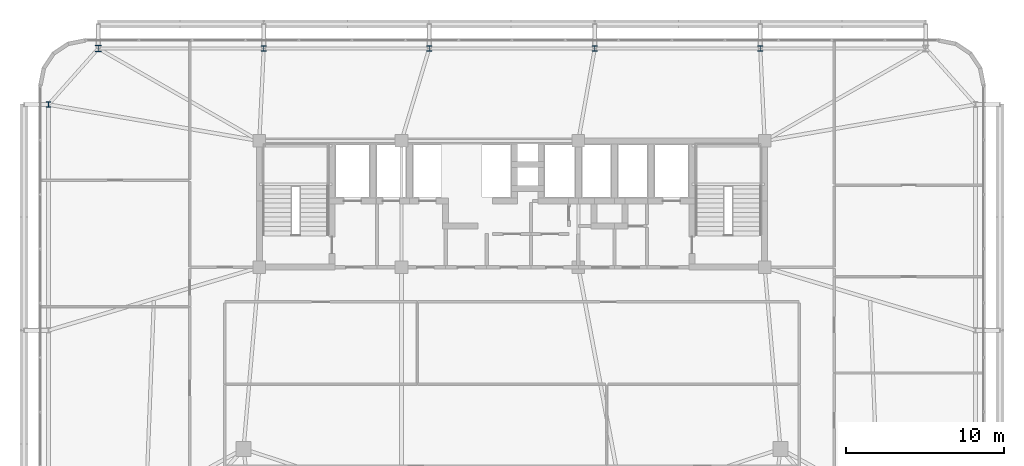
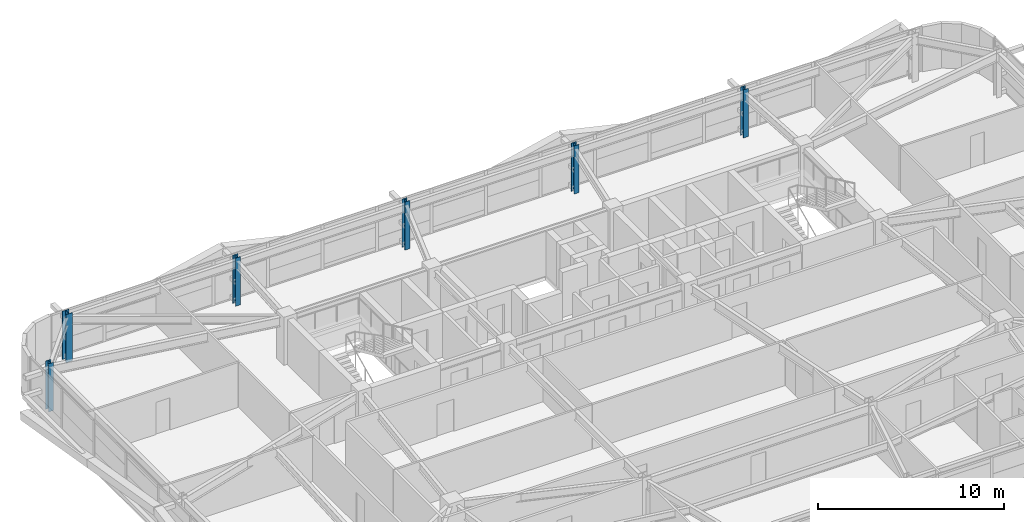
# One storey, part 3 of 59: 6 columns.
"""IFC4 building model written with IfcOpenShell, lengths in metres."""

from ifc_helpers import new_model, si_unit, direction, frame, origin, origin_2d, place, context, subcontext, project, spatial, i_section, extrude, source, transform, mapped, material, material_profile, profile_set, type_object, element, save


model = new_model("IFC4")

# Units and contexts
model_context = context("Model", 3, precision=1e-05, world=origin(), true_north=direction((0.0, 1.0)))
body_context = subcontext(model_context, "Body", "Model", "MODEL_VIEW")
ifc_project = project(units=[si_unit("LENGTHUNIT", "METRE"), si_unit("AREAUNIT", "SQUARE_METRE"), si_unit("VOLUMEUNIT", "CUBIC_METRE"), si_unit("PLANEANGLEUNIT", "RADIAN"), si_unit("MASSUNIT", "GRAM", prefix="KILO")], contexts=[model_context])

# Site, building, storey
site_placement = place(None, origin())
site = spatial("IfcSite", under=ifc_project, at=site_placement, CompositionType="ELEMENT")
building_placement = place(site_placement, origin())
building = spatial("IfcBuilding", under=site, at=building_placement, Name="Taldren Reach Tower", CompositionType="ELEMENT")
storey_placement = place(building_placement, frame((0.0, 0.0, 29.39990234375)))
storey = spatial("IfcBuildingStorey", under=building, at=storey_placement, Name="L08", CompositionType="ELEMENT", Elevation=29.39990234375)

# Columns
ifc_material = material(Name="Steel Gr 350 (350PLUS)", Category="steel")
ifc_material_profile_1 = material_profile(ifc_material, i_section(OverallWidth=0.39990234375, OverallDepth=0.39599609375, WebThickness=0.02197265625, FlangeThickness=0.033935546875, at=origin_2d()), Name="400WC270")
ifc_profile_set_1 = profile_set([ifc_material_profile_1], Name="Steel Gr 350 (350PLUS)")
column_type_1 = type_object("IfcColumnType", Name="COL-WC400", PredefinedType="COLUMN", material=ifc_profile_set_1)
shared_shape_1 = source(origin(), body_context, "Body", "SweptSolid", [
    extrude(i_section(OverallWidth=0.39990234375, OverallDepth=0.39599609375, WebThickness=0.02197265625, FlangeThickness=0.033935546875, at=origin_2d()), origin(), (0.0, 0.0, 1.0), 3.150146484375),
])
column_placement = place(storey_placement, frame((8.800048828125, 37.85009765625, 0.0), z_axis=(0.0, 0.0, 1.0), x_axis=(1.0, 0.0, 0.0)))
element("IfcColumn", 1, at=column_placement, inside=storey, type_object=column_type_1, Name="Block B1 perimeter column N1 L08", PredefinedType="COLUMN", context=body_context, shape_type="MappedRepresentation", body=[
    mapped(shared_shape_1, transform((0.0, 0.0, 0.0), scale=1.0)),
])
ifc_material_profile_2 = material_profile(ifc_material, i_section(OverallWidth=0.31103515625, OverallDepth=0.326904296875, WebThickness=0.015625, FlangeThickness=0.02490234375, at=origin_2d()), Name="310UC158")
ifc_profile_set_2 = profile_set([ifc_material_profile_2], Name="Steel Gr 350 (350PLUS)")
column_type_2 = type_object("IfcColumnType", Name="COL-UC310A", PredefinedType="COLUMN", material=ifc_profile_set_2)
shared_shape_2 = source(origin(), body_context, "Body", "SweptSolid", [
    extrude(i_section(OverallWidth=0.31103515625, OverallDepth=0.326904296875, WebThickness=0.015625, FlangeThickness=0.02490234375, at=origin_2d()), origin(), (0.0, 0.0, 1.0), 3.150146484375),
])
for number, where, z_axis, x_axis, name in (
    (2, (19.280029296875, 37.85009765625, 0.0), (0.0, 0.0, 1.0), (1.0, 0.0, 0.0), "Block B1 perimeter column N2 L08"),
    (3, (29.760009765625, 37.85009765625, 0.0), (0.0, 0.0, 1.0), (1.0, 0.0, 0.0), "Block B1 perimeter column N3 L08"),
    (4, (40.239990234375, 37.85009765625, 0.0), (0.0, 0.0, 1.0), (1.0, 0.0, 0.0), "Block B1 perimeter column N4 L08"),
    (5, (50.719970703125, 37.85009765625, 0.0), (0.0, 0.0, 1.0), (1.0, 0.0, 0.0), "Block B1 perimeter column N5 L08"),
    (6, (5.64990234375, 34.300048828125, 0.0), (0.0, 0.0, 1.0), (1.0, 0.0, 0.0), "Block B1 perimeter column W3 L08"),
):
    element("IfcColumn", number, at=place(storey_placement, frame(where, z_axis=z_axis, x_axis=x_axis)), inside=storey, type_object=column_type_2, Name=name, PredefinedType="COLUMN", context=body_context, shape_type="MappedRepresentation", body=[
        mapped(shared_shape_2, transform((0.0, 0.0, 0.0), scale=1.0)),
    ])

save(model, "model.ifc")
